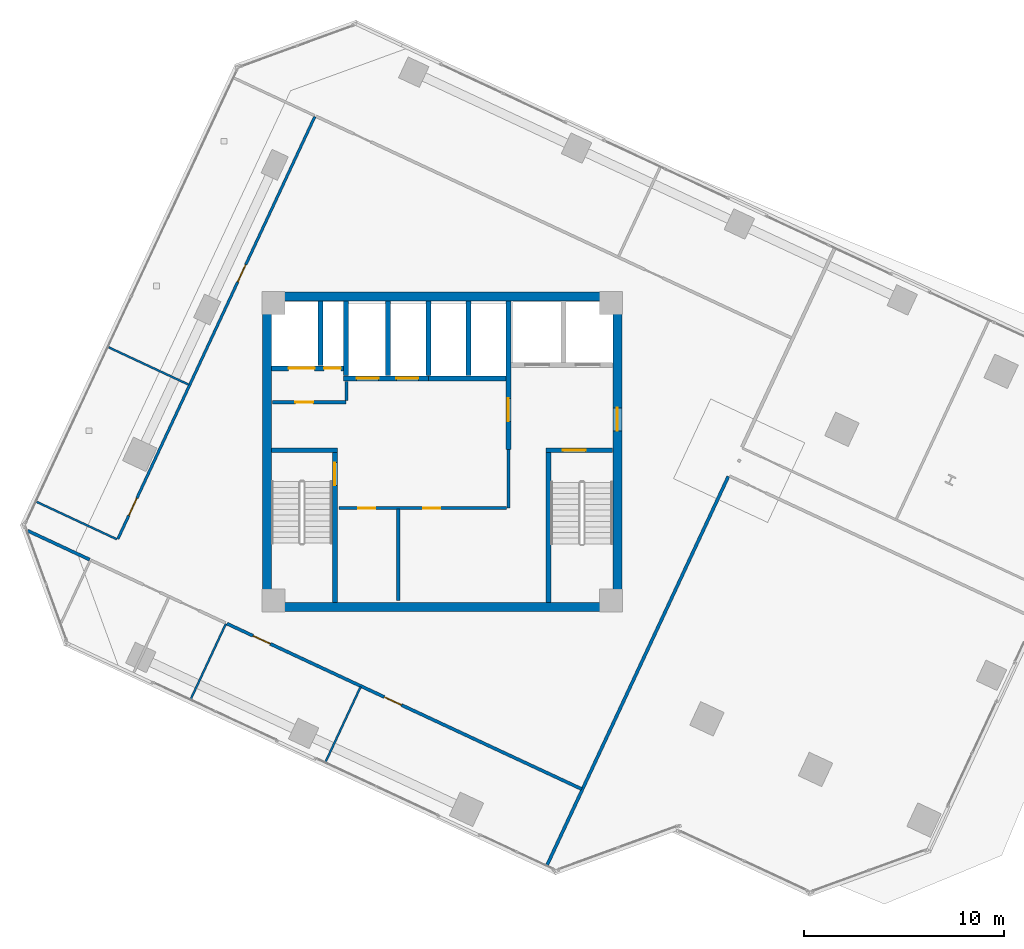
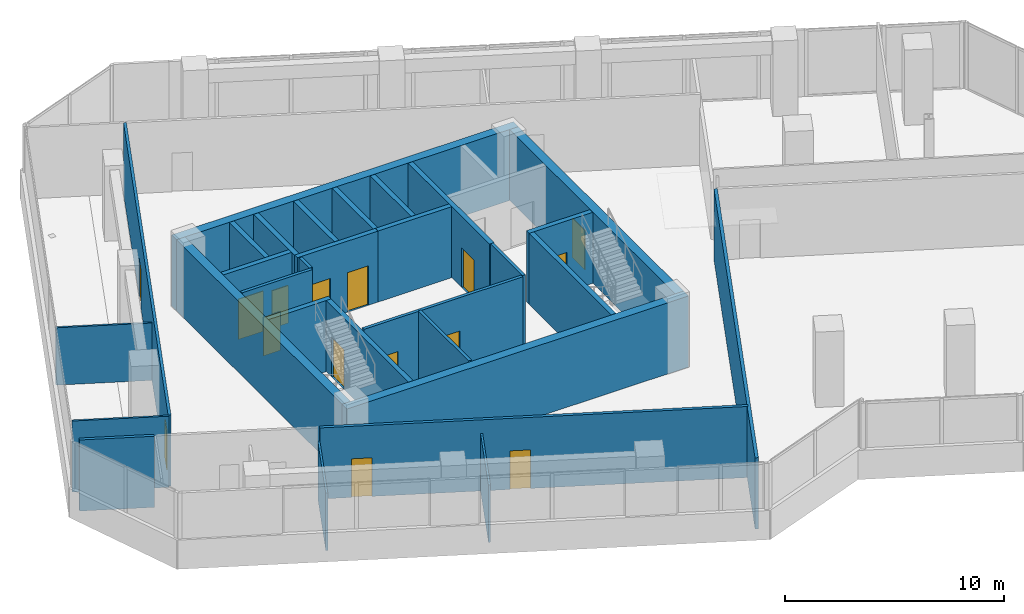
# One storey, part 17 of 23: 30 walls, 15 doors, 15 openings.
"""IFC4 building model written with IfcOpenShell, lengths in metres."""

from ifc_helpers import new_model, si_unit, direction, frame, frame_2d, origin, place, context, subcontext, project, spatial, rectangle, extrude, source, transform, mapped, material, layer, layer_set, type_object, element, fill, save


model = new_model("IFC4")

# Units and contexts
model_context = context("Model", 3, precision=1e-05, world=origin(), true_north=direction((0.0, 1.0)))
body_context = subcontext(model_context, "Body", "Model", "MODEL_VIEW")
ifc_project = project(units=[si_unit("LENGTHUNIT", "METRE"), si_unit("AREAUNIT", "SQUARE_METRE"), si_unit("VOLUMEUNIT", "CUBIC_METRE"), si_unit("PLANEANGLEUNIT", "RADIAN"), si_unit("MASSUNIT", "GRAM", prefix="KILO")], contexts=[model_context])

# Site, building, storey
site_placement = place(None, origin())
site = spatial("IfcSite", under=ifc_project, at=site_placement, CompositionType="ELEMENT")
building_placement = place(site_placement, origin())
building = spatial("IfcBuilding", under=site, at=building_placement, Name="Torre Montelarca", CompositionType="ELEMENT")
storey_placement = place(building_placement, frame((0.0, 0.0, 154.0)))
storey = spatial("IfcBuildingStorey", under=building, at=storey_placement, Name="L34", CompositionType="ELEMENT", Elevation=154.0)

# Wall, opening, door
ifc_material_1 = material(Name="Concrete C40/50", Category="concrete")
ifc_layer_1 = layer(ifc_material_1, 0.25, Name="Concrete C40/50", Category="concrete")
ifc_layer_set_1 = layer_set([ifc_layer_1], Name="Concrete C40/50")
wall_type_1 = type_object("IfcWallType", Name="CW-SHAFT-250", PredefinedType="SHEAR", material=ifc_layer_set_1)
wall_1_placement = place(storey_placement, frame((12.625, 24.4599609375, 0.0), z_axis=(0.0, 0.0, 1.0), x_axis=(0.0, 1.0, 0.0)))
wall_1 = element("IfcWall", 1, at=wall_1_placement, inside=storey, type_object=wall_type_1, Name="L34 Core Shear Wall SH-ST1-E", PredefinedType="SHEAR", context=body_context, shape_type="SweptSolid", body=[
    extrude(rectangle(XDim=7.489990234375, YDim=0.25, at=frame_2d((3.7451171875, 0.0))), origin(), (0.0, 0.0, 1.0), 3.9599609375),
])
opening_1_placement = place(wall_1_placement, frame((5.85009765625, 0.0, 0.0)))
opening_1 = element("IfcOpeningElement", 2, at=opening_1_placement, cuts=wall_1, Name="Opening FD-ST1", PredefinedType="OPENING", context=body_context, shape_type="SweptSolid", body=[
    extrude(rectangle(XDim=1.14990234375, YDim=2.199951171875, at=frame_2d((0.574951171875, 1.10009765625))), frame((0.0, 0.135009765625, 0.0), z_axis=(0.0, -1.0, 0.0), x_axis=(1.0, 0.0, 0.0)), (0.0, 0.0, 1.0), 0.27001953125),
])
ifc_material_2 = material(Name="Galvanized steel fire door", Category="steel")
door_type_1 = type_object("IfcDoorType", Name="DR-STAIR-115", OperationType="NOTDEFINED", PredefinedType="DOOR", material=ifc_material_2)
shared_shape_1 = source(origin(), body_context, "Body", "SweptSolid", [
    extrude(rectangle(XDim=1.14990234375, YDim=2.199951171875, at=frame_2d((0.574951171875, 1.10009765625))), frame((0.0, 0.02490234375, 0.0), z_axis=(0.0, -1.0, 0.0), x_axis=(1.0, 0.0, 0.0)), (0.0, 0.0, 1.0), 0.050048828125),
])
door_1_placement = place(opening_1_placement, origin())
door_1 = element("IfcDoor", 3, at=door_1_placement, inside=storey, type_object=door_type_1, Name="L34 Exit Stair ST1 Fire Door", OperationType="SINGLE_SWING_RIGHT", OverallHeight=2.199951171875, OverallWidth=1.14990234375, PredefinedType="DOOR", context=body_context, shape_type="MappedRepresentation", body=[
    mapped(shared_shape_1, transform((0.0, 0.0, 0.0), scale=1.0)),
])
fill(opening_1, door_1)

# Walls
wall_2_placement = place(storey_placement, frame((9.4599609375, 32.074951171875, 0.0), z_axis=(0.0, 0.0, 1.0), x_axis=(1.0, 0.0, 0.0)))
element("IfcWall", 4, at=wall_2_placement, inside=storey, type_object=wall_type_1, Name="L34 Core Shear Wall SH-ST1-N", PredefinedType="SHEAR", context=body_context, shape_type="SweptSolid", body=[
    extrude(rectangle(XDim=3.2900390625, YDim=0.25, at=frame_2d((1.64501953125, 0.0))), origin(), (0.0, 0.0, 1.0), 3.9599609375),
])
wall_3_placement = place(storey_placement, frame((23.31494140625, 24.4599609375, 0.0), z_axis=(0.0, 0.0, 1.0), x_axis=(0.0, 1.0, 0.0)))
element("IfcWall", 5, at=wall_3_placement, inside=storey, type_object=wall_type_1, Name="L34 Core Shear Wall SH-ST2-W", PredefinedType="SHEAR", context=body_context, shape_type="SweptSolid", body=[
    extrude(rectangle(XDim=7.489990234375, YDim=0.25, at=frame_2d((3.7451171875, 0.0))), origin(), (0.0, 0.0, 1.0), 3.9599609375),
])

# Wall, opening, door
wall_4_placement = place(storey_placement, frame((23.18994140625, 32.074951171875, 0.0), z_axis=(0.0, 0.0, 1.0), x_axis=(1.0, 0.0, 0.0)))
wall_4 = element("IfcWall", 6, at=wall_4_placement, inside=storey, type_object=wall_type_1, Name="L34 Core Shear Wall SH-ST2-N", PredefinedType="SHEAR", context=body_context, shape_type="SweptSolid", body=[
    extrude(rectangle(XDim=3.35009765625, YDim=0.25, at=frame_2d((1.675048828125, 0.0))), origin(), (0.0, 0.0, 1.0), 3.9599609375),
])
opening_2_placement = place(wall_4_placement, frame((0.85009765625, 0.0, 0.0)))
opening_2 = element("IfcOpeningElement", 7, at=opening_2_placement, cuts=wall_4, Name="Opening FD-ST1", PredefinedType="OPENING", context=body_context, shape_type="SweptSolid", body=[
    extrude(rectangle(XDim=1.14990234375, YDim=2.199951171875, at=frame_2d((0.574951171875, 1.10009765625))), frame((0.0, 0.135009765625, 0.0), z_axis=(0.0, -1.0, 0.0), x_axis=(1.0, 0.0, 0.0)), (0.0, 0.0, 1.0), 0.27001953125),
])
door_2_placement = place(opening_2_placement, origin())
door_2 = element("IfcDoor", 8, at=door_2_placement, inside=storey, type_object=door_type_1, Name="L34 Exit Stair ST2 Fire Door", OperationType="SINGLE_SWING_RIGHT", OverallHeight=2.199951171875, OverallWidth=1.14990234375, PredefinedType="DOOR", context=body_context, shape_type="MappedRepresentation", body=[
    mapped(shared_shape_1, transform((0.0, 0.0, 0.0), scale=1.0)),
])
fill(opening_2, door_2)

wall_5_placement = place(storey_placement, frame((21.320068359375, 32.1201171875, 0.0), z_axis=(0.0, 0.0, 1.0), x_axis=(0.0, 1.0, 0.0)))
wall_5 = element("IfcWall", 9, at=wall_5_placement, inside=storey, type_object=wall_type_1, Name="L34 Core Shear Wall SH-FFL-W", PredefinedType="SHEAR", context=body_context, shape_type="SweptSolid", body=[
    extrude(rectangle(XDim=7.419921875, YDim=0.25, at=frame_2d((3.7099609375, 0.0))), origin(), (0.0, 0.0, 1.0), 3.9599609375),
])
opening_3_placement = place(wall_5_placement, frame((1.39990234375, 0.0, 0.0)))
opening_3 = element("IfcOpeningElement", 10, at=opening_3_placement, cuts=wall_5, Name="Opening FD-LB1", PredefinedType="OPENING", context=body_context, shape_type="SweptSolid", body=[
    extrude(rectangle(XDim=1.14990234375, YDim=2.199951171875, at=frame_2d((0.574951171875, 1.10009765625))), frame((0.0, 0.135009765625, 0.0), z_axis=(0.0, -1.0, 0.0), x_axis=(1.0, 0.0, 0.0)), (0.0, 0.0, 1.0), 0.27001953125),
])
ifc_material_3 = material(Name="Acoustic timber-veneered fire door", Category="wood")
door_type_2 = type_object("IfcDoorType", Name="DR-LOBBY-115", OperationType="NOTDEFINED", PredefinedType="DOOR", material=ifc_material_3)
shared_shape_2 = source(origin(), body_context, "Body", "SweptSolid", [
    extrude(rectangle(XDim=1.14990234375, YDim=2.199951171875, at=frame_2d((0.574951171875, 1.10009765625))), frame((0.0, 0.02490234375, 0.0), z_axis=(0.0, -1.0, 0.0), x_axis=(1.0, 0.0, 0.0)), (0.0, 0.0, 1.0), 0.050048828125),
])
door_3_placement = place(opening_3_placement, origin())
door_3 = element("IfcDoor", 11, at=door_3_placement, inside=storey, type_object=door_type_2, Name="L34 Lift Lobby to Firefighting Lobby Smoke Door", OperationType="SINGLE_SWING_LEFT", OverallHeight=2.199951171875, OverallWidth=1.14990234375, PredefinedType="DOOR", context=body_context, shape_type="MappedRepresentation", body=[
    mapped(shared_shape_2, transform((0.0, 0.0, 0.0), scale=1.0)),
])
fill(opening_3, door_3)

# Wall, openings, doors
wall_6_placement = place(storey_placement, frame((9.4599609375, 36.179931640625, 0.0), z_axis=(0.0, 0.0, 1.0), x_axis=(1.0, 0.0, 0.0)))
wall_6 = element("IfcWall", 12, at=wall_6_placement, inside=storey, type_object=wall_type_1, Name="L34 Core Shear Wall SH-SV1-S", PredefinedType="SHEAR", context=body_context, shape_type="SweptSolid", body=[
    extrude(rectangle(XDim=3.7900390625, YDim=0.25, at=frame_2d((1.89501953125, 0.0))), origin(), (0.0, 0.0, 1.0), 3.9599609375),
])
opening_4_placement = place(wall_6_placement, frame((2.6201171875, 0.0, 0.0)))
opening_4 = element("IfcOpeningElement", 13, at=opening_4_placement, cuts=wall_6, Name="Opening FD-085", PredefinedType="OPENING", context=body_context, shape_type="SweptSolid", body=[
    extrude(rectangle(XDim=0.85009765625, YDim=2.10009765625, at=frame_2d((0.425048828125, 1.050048828125))), frame((0.0, 0.135009765625, 0.0), z_axis=(0.0, -1.0, 0.0), x_axis=(1.0, 0.0, 0.0)), (0.0, 0.0, 1.0), 0.27001953125),
])
opening_5_placement = place(wall_6_placement, frame((0.85009765625, 0.0, 0.0)))
opening_5 = element("IfcOpeningElement", 14, at=opening_5_placement, cuts=wall_6, Name="Opening LD-130", PredefinedType="OPENING", context=body_context, shape_type="SweptSolid", body=[
    extrude(rectangle(XDim=1.300048828125, YDim=2.25, at=frame_2d((0.64990234375, 1.125))), frame((0.0, 0.135009765625, 0.0), z_axis=(0.0, -1.0, 0.0), x_axis=(1.0, 0.0, 0.0)), (0.0, 0.0, 1.0), 0.27001953125),
])
ifc_material_4 = material(Name="Steel riser access fire door", Category="steel")
door_type_3 = type_object("IfcDoorType", Name="DR-RISER-085", OperationType="NOTDEFINED", PredefinedType="DOOR", material=ifc_material_4)
shared_shape_3 = source(origin(), body_context, "Body", "SweptSolid", [
    extrude(rectangle(XDim=0.85009765625, YDim=2.10009765625, at=frame_2d((0.425048828125, 1.050048828125))), frame((0.0, 0.02490234375, 0.0), z_axis=(0.0, -1.0, 0.0), x_axis=(1.0, 0.0, 0.0)), (0.0, 0.0, 1.0), 0.050048828125),
])
door_4_placement = place(opening_4_placement, origin())
door_4 = element("IfcDoor", 15, at=door_4_placement, inside=storey, type_object=door_type_3, Name="L34 Electrical Riser Shaft Access Door", OperationType="SINGLE_SWING_RIGHT", OverallHeight=2.10009765625, OverallWidth=0.85009765625, PredefinedType="DOOR", context=body_context, shape_type="MappedRepresentation", body=[
    mapped(shared_shape_3, transform((0.0, 0.0, 0.0), scale=1.0)),
])
fill(opening_4, door_4)
ifc_material_5 = material(Name="Brushed stainless steel AISI 316", Category="steel")
door_type_4 = type_object("IfcDoorType", Name="DR-LIFT-130", OperationType="SLIDING_TO_LEFT", PredefinedType="DOOR", material=ifc_material_5)
shared_shape_4 = source(origin(), body_context, "Body", "SweptSolid", [
    extrude(rectangle(XDim=1.300048828125, YDim=2.25, at=frame_2d((0.64990234375, 1.125))), frame((0.0, 0.02490234375, 0.0), z_axis=(0.0, -1.0, 0.0), x_axis=(1.0, 0.0, 0.0)), (0.0, 0.0, 1.0), 0.050048828125),
])
door_5_placement = place(opening_5_placement, origin())
door_5 = element("IfcDoor", 16, at=door_5_placement, inside=storey, type_object=door_type_4, Name="L34 Lift Landing Sliding Door SV-1", OperationType="SLIDING_TO_LEFT", OverallHeight=2.25, OverallWidth=1.300048828125, PredefinedType="DOOR", context=body_context, shape_type="MappedRepresentation", body=[
    mapped(shared_shape_4, transform((0.0, 0.0, 0.0), scale=1.0)),
])
fill(opening_5, door_5)

# Wall
wall_7_placement = place(storey_placement, frame((11.89990234375, 36.31005859375, 0.0), z_axis=(0.0, 0.0, 1.0), x_axis=(0.0, 1.0, 0.0)))
element("IfcWall", 17, at=wall_7_placement, inside=storey, type_object=wall_type_1, Name="L34 Core Shear Wall SH-SV1-E", PredefinedType="SHEAR", context=body_context, shape_type="SweptSolid", body=[
    extrude(rectangle(XDim=3.22998046875, YDim=0.25, at=frame_2d((1.614990234375, 0.0))), origin(), (0.0, 0.0, 1.0), 3.9599609375),
])

# Wall, openings, doors
wall_8_placement = place(storey_placement, frame((13.06005859375, 35.679931640625, 0.0), z_axis=(0.0, 0.0, 1.0), x_axis=(1.0, 0.0, 0.0)))
wall_8 = element("IfcWall", 18, at=wall_8_placement, inside=storey, type_object=wall_type_1, Name="L34 Core Shear Wall SH-PLM-S", PredefinedType="SHEAR", context=body_context, shape_type="SweptSolid", body=[
    extrude(rectangle(XDim=4.25, YDim=0.25, at=frame_2d((2.125, 0.0))), origin(), (0.0, 0.0, 1.0), 3.9599609375),
])
opening_6_placement = place(wall_8_placement, frame((0.64990234375, 0.0, 0.0)))
opening_6 = element("IfcOpeningElement", 19, at=opening_6_placement, cuts=wall_8, Name="Opening LD-110", PredefinedType="OPENING", context=body_context, shape_type="SweptSolid", body=[
    extrude(rectangle(XDim=1.10009765625, YDim=2.199951171875, at=frame_2d((0.550048828125, 1.10009765625))), frame((0.0, 0.135009765625, 0.0), z_axis=(0.0, -1.0, 0.0), x_axis=(1.0, 0.0, 0.0)), (0.0, 0.0, 1.0), 0.27001953125),
])
opening_7_placement = place(wall_8_placement, frame((2.64990234375, 0.0, 0.0)))
opening_7 = element("IfcOpeningElement", 20, at=opening_7_placement, cuts=wall_8, Name="Opening LD-110", PredefinedType="OPENING", context=body_context, shape_type="SweptSolid", body=[
    extrude(rectangle(XDim=1.10009765625, YDim=2.199951171875, at=frame_2d((0.550048828125, 1.10009765625))), frame((0.0, 0.135009765625, 0.0), z_axis=(0.0, -1.0, 0.0), x_axis=(1.0, 0.0, 0.0)), (0.0, 0.0, 1.0), 0.27001953125),
])
door_type_5 = type_object("IfcDoorType", Name="DR-LIFT-110", OperationType="SLIDING_TO_LEFT", PredefinedType="DOOR", material=ifc_material_5)
shared_shape_5 = source(origin(), body_context, "Body", "SweptSolid", [
    extrude(rectangle(XDim=1.10009765625, YDim=2.199951171875, at=frame_2d((0.550048828125, 1.10009765625))), frame((0.0, 0.02490234375, 0.0), z_axis=(0.0, -1.0, 0.0), x_axis=(1.0, 0.0, 0.0)), (0.0, 0.0, 1.0), 0.050048828125),
])
door_6_placement = place(opening_6_placement, origin())
door_6 = element("IfcDoor", 21, at=door_6_placement, inside=storey, type_object=door_type_5, Name="L34 Lift Landing Sliding Door PL-M1", OperationType="SLIDING_TO_LEFT", OverallHeight=2.199951171875, OverallWidth=1.10009765625, PredefinedType="DOOR", context=body_context, shape_type="MappedRepresentation", body=[
    mapped(shared_shape_5, transform((0.0, 0.0, 0.0), scale=1.0)),
])
fill(opening_6, door_6)
door_7_placement = place(opening_7_placement, origin())
door_7 = element("IfcDoor", 22, at=door_7_placement, inside=storey, type_object=door_type_5, Name="L34 Lift Landing Sliding Door PL-M2", OperationType="SLIDING_TO_RIGHT", OverallHeight=2.199951171875, OverallWidth=1.10009765625, PredefinedType="DOOR", context=body_context, shape_type="MappedRepresentation", body=[
    mapped(shared_shape_5, transform((0.0, 0.0, 0.0), scale=1.0)),
])
fill(opening_7, door_7)

# Walls
for number, where, z_axis, x_axis, name in (
    (23, (13.179931640625, 35.81005859375, 0.0), (0.0, 0.0, 1.0), (0.0, 1.0, 0.0), "L34 Core Shear Wall SH-PLM-W"),
    (24, (15.280029296875, 35.81005859375, 0.0), (0.0, 0.0, 1.0), (0.0, 1.0, 0.0), "L34 Core Shear Wall SH-PLM-M"),
):
    element("IfcWall", number, at=place(storey_placement, frame(where, z_axis=z_axis, x_axis=x_axis)), inside=storey, type_object=wall_type_1, Name=name, PredefinedType="SHEAR", context=body_context, shape_type="SweptSolid", body=[
        extrude(rectangle(XDim=3.72998046875, YDim=0.25, at=frame_2d((1.864990234375, 0.0))), origin(), (0.0, 0.0, 1.0), 3.9599609375),
    ])
wall_9_placement = place(storey_placement, frame((17.320068359375, 35.679931640625, 0.0), z_axis=(0.0, 0.0, 1.0), x_axis=(1.0, 0.0, 0.0)))
element("IfcWall", 25, at=wall_9_placement, inside=storey, type_object=wall_type_1, Name="L34 Core Shear Wall SH-PLH-S", PredefinedType="SHEAR", context=body_context, shape_type="SweptSolid", body=[
    extrude(rectangle(XDim=3.869873046875, YDim=0.25, at=frame_2d((1.93505859375, 0.0))), origin(), (0.0, 0.0, 1.0), 3.9599609375),
])
for number, where, z_axis, x_axis, name in (
    (26, (17.320068359375, 35.81005859375, 0.0), (0.0, 0.0, 1.0), (0.0, 1.0, 0.0), "L34 Core Shear Wall SH-PLH-W"),
    (27, (19.320068359375, 35.81005859375, 0.0), (0.0, 0.0, 1.0), (0.0, 1.0, 0.0), "L34 Core Shear Wall SH-PLH-M"),
):
    element("IfcWall", number, at=place(storey_placement, frame(where, z_axis=z_axis, x_axis=x_axis)), inside=storey, type_object=wall_type_1, Name=name, PredefinedType="SHEAR", context=body_context, shape_type="SweptSolid", body=[
        extrude(rectangle(XDim=3.72998046875, YDim=0.25, at=frame_2d((1.864990234375, 0.0))), origin(), (0.0, 0.0, 1.0), 3.9599609375),
    ])
ifc_material_6 = material(Name="Concrete C55/67", Category="concrete")
ifc_layer_2 = layer(ifc_material_6, 0.449951171875, Name="Concrete C55/67", Category="concrete")
ifc_layer_set_2 = layer_set([ifc_layer_2], Name="Concrete C55/67")
wall_type_2 = type_object("IfcWallType", Name="CW-SHEAR-450", PredefinedType="SHEAR", material=ifc_layer_set_2)
wall_10_placement = place(storey_placement, frame((9.22509765625, 24.449951171875, 0.0), z_axis=(0.0, 0.0, 1.0), x_axis=(0.0, 1.0, 0.0)))
element("IfcWall", 28, at=wall_10_placement, inside=storey, type_object=wall_type_2, Name="L34 Core Shear Wall CW-W", PredefinedType="SHEAR", context=body_context, shape_type="SweptSolid", body=[
    extrude(rectangle(XDim=15.10009765625, YDim=0.449951171875, at=frame_2d((7.550048828125, 0.0))), origin(), (0.0, 0.0, 1.0), 3.9599609375),
])

# Wall, opening, door
wall_11_placement = place(storey_placement, frame((26.77490234375, 24.449951171875, 0.0), z_axis=(0.0, 0.0, 1.0), x_axis=(0.0, 1.0, 0.0)))
wall_11 = element("IfcWall", 29, at=wall_11_placement, inside=storey, type_object=wall_type_2, Name="L34 Core Shear Wall CW-E", PredefinedType="SHEAR", context=body_context, shape_type="SweptSolid", body=[
    extrude(rectangle(XDim=15.10009765625, YDim=0.449951171875, at=frame_2d((7.550048828125, 0.0))), origin(), (0.0, 0.0, 1.0), 3.9599609375),
])
opening_8_placement = place(wall_11_placement, frame((8.60009765625, 0.0, 0.0)))
opening_8 = element("IfcOpeningElement", 30, at=opening_8_placement, cuts=wall_11, Name="Opening FD-LB1", PredefinedType="OPENING", context=body_context, shape_type="SweptSolid", body=[
    extrude(rectangle(XDim=1.14990234375, YDim=2.199951171875, at=frame_2d((0.574951171875, 1.10009765625))), frame((0.0, 0.23486328125, 0.0), z_axis=(0.0, -1.0, 0.0), x_axis=(1.0, 0.0, 0.0)), (0.0, 0.0, 1.0), 0.469970703125),
])
door_8_placement = place(opening_8_placement, origin())
door_8 = element("IfcDoor", 31, at=door_8_placement, inside=storey, type_object=door_type_2, Name="L34 Firefighting Lift Lobby Corridor Fire Door", OperationType="SINGLE_SWING_RIGHT", OverallHeight=2.199951171875, OverallWidth=1.14990234375, PredefinedType="DOOR", context=body_context, shape_type="MappedRepresentation", body=[
    mapped(shared_shape_2, transform((0.0, 0.0, 0.0), scale=1.0)),
])
fill(opening_8, door_8)

# Walls
for number, where, z_axis, x_axis, name in (
    (32, (9.0, 24.22509765625, 0.0), (0.0, 0.0, 1.0), (1.0, 0.0, 0.0), "L34 Core Shear Wall CW-S1"),
    (33, (9.0, 39.77490234375, 0.0), (0.0, 0.0, 1.0), (1.0, 0.0, 0.0), "L34 Core Shear Wall CW-N1"),
):
    element("IfcWall", number, at=place(storey_placement, frame(where, z_axis=z_axis, x_axis=x_axis)), inside=storey, type_object=wall_type_2, Name=name, PredefinedType="SHEAR", context=body_context, shape_type="SweptSolid", body=[
        extrude(rectangle(XDim=18.0, YDim=0.449951171875, at=frame_2d((9.0, 0.0))), origin(), (0.0, 0.0, 1.0), 3.9599609375),
    ])

# Wall, opening, door
ifc_material_7 = material(Name="Gypsum plasterboard on steel stud", Category="steel")
ifc_layer_3 = layer(ifc_material_7, 0.159912109375, Name="Gypsum plasterboard on steel stud", Category="steel")
ifc_layer_set_3 = layer_set([ifc_layer_3], Name="Gypsum plasterboard on steel stud")
wall_type_3 = type_object("IfcWallType", Name="PW-FIRE-160", PredefinedType="PARTITIONING", material=ifc_layer_set_3)
wall_12_placement = place(storey_placement, frame((9.489990234375, 34.47998046875, 0.0), z_axis=(0.0, 0.0, 1.0), x_axis=(1.0, 0.0, 0.0)))
wall_12 = element("IfcWall", 34, at=wall_12_placement, inside=storey, type_object=wall_type_3, Name="L34 Interior Partition CW-L34-SVS", PredefinedType="PARTITIONING", context=body_context, shape_type="SweptSolid", body=[
    extrude(rectangle(XDim=3.699951171875, YDim=0.159912109375, at=frame_2d((1.85009765625, 0.0))), origin(), (0.0, 0.0, 1.0), 3.9599609375),
])
opening_9_placement = place(wall_12_placement, frame((1.14990234375, 0.0, 0.0)))
opening_9 = element("IfcOpeningElement", 35, at=opening_9_placement, cuts=wall_12, Name="Opening FD-090", PredefinedType="OPENING", context=body_context, shape_type="SweptSolid", body=[
    extrude(rectangle(XDim=0.89990234375, YDim=2.14990234375, at=frame_2d((0.449951171875, 1.074951171875))), frame((0.0, 0.08984375, 0.0), z_axis=(0.0, -1.0, 0.0), x_axis=(1.0, 0.0, 0.0)), (0.0, 0.0, 1.0), 0.179931640625),
])
ifc_material_8 = material(Name="Steel service fire door", Category="steel")
door_type_6 = type_object("IfcDoorType", Name="DR-FIRE-090", OperationType="NOTDEFINED", PredefinedType="DOOR", material=ifc_material_8)
shared_shape_6 = source(origin(), body_context, "Body", "SweptSolid", [
    extrude(rectangle(XDim=0.89990234375, YDim=2.14990234375, at=frame_2d((0.449951171875, 1.074951171875))), frame((0.0, 0.02490234375, 0.0), z_axis=(0.0, -1.0, 0.0), x_axis=(1.0, 0.0, 0.0)), (0.0, 0.0, 1.0), 0.050048828125),
])
door_9_placement = place(opening_9_placement, origin())
door_9 = element("IfcDoor", 36, at=door_9_placement, inside=storey, type_object=door_type_6, Name="L34 Interior Door 01", OperationType="SINGLE_SWING_RIGHT", OverallHeight=2.14990234375, OverallWidth=0.89990234375, PredefinedType="DOOR", context=body_context, shape_type="MappedRepresentation", body=[
    mapped(shared_shape_6, transform((0.0, 0.0, 0.0), scale=1.0)),
])
fill(opening_9, door_9)

# Wall
wall_13_placement = place(storey_placement, frame((13.199951171875, 34.570068359375, 0.0), z_axis=(0.0, 0.0, 1.0), x_axis=(0.0, 1.0, 0.0)))
element("IfcWall", 37, at=wall_13_placement, inside=storey, type_object=wall_type_3, Name="L34 Interior Partition CW-L34-SVE", PredefinedType="PARTITIONING", context=body_context, shape_type="SweptSolid", body=[
    extrude(rectangle(XDim=0.93994140625, YDim=0.159912109375, at=frame_2d((0.469970703125, 0.0))), origin(), (0.0, 0.0, 1.0), 3.9599609375),
])

# Wall, openings, doors
wall_14_placement = place(storey_placement, frame((12.840087890625, 29.179931640625, 0.0), z_axis=(0.0, 0.0, 1.0), x_axis=(1.0, 0.0, 0.0)))
wall_14 = element("IfcWall", 38, at=wall_14_placement, inside=storey, type_object=wall_type_3, Name="L34 Interior Partition CW-L34-FRDN", PredefinedType="PARTITIONING", context=body_context, shape_type="SweptSolid", body=[
    extrude(rectangle(XDim=8.369873046875, YDim=0.159912109375, at=frame_2d((4.18505859375, 0.0))), origin(), (0.0, 0.0, 1.0), 3.9599609375),
])
opening_10_placement = place(wall_14_placement, frame((0.949951171875, 0.0, 0.0)))
opening_10 = element("IfcOpeningElement", 39, at=opening_10_placement, cuts=wall_14, Name="Opening FD-085", PredefinedType="OPENING", context=body_context, shape_type="SweptSolid", body=[
    extrude(rectangle(XDim=0.85009765625, YDim=2.10009765625, at=frame_2d((0.425048828125, 1.050048828125))), frame((0.0, 0.08984375, 0.0), z_axis=(0.0, -1.0, 0.0), x_axis=(1.0, 0.0, 0.0)), (0.0, 0.0, 1.0), 0.179931640625),
])
opening_11_placement = place(wall_14_placement, frame((4.199951171875, 0.0, 0.0)))
opening_11 = element("IfcOpeningElement", 40, at=opening_11_placement, cuts=wall_14, Name="Opening FD-085", PredefinedType="OPENING", context=body_context, shape_type="SweptSolid", body=[
    extrude(rectangle(XDim=0.85009765625, YDim=2.10009765625, at=frame_2d((0.425048828125, 1.050048828125))), frame((0.0, 0.08984375, 0.0), z_axis=(0.0, -1.0, 0.0), x_axis=(1.0, 0.0, 0.0)), (0.0, 0.0, 1.0), 0.179931640625),
])
door_10_placement = place(opening_10_placement, origin())
door_10 = element("IfcDoor", 41, at=door_10_placement, inside=storey, type_object=door_type_3, Name="L34 Interior Door 02", OperationType="SINGLE_SWING_LEFT", OverallHeight=2.10009765625, OverallWidth=0.85009765625, PredefinedType="DOOR", context=body_context, shape_type="MappedRepresentation", body=[
    mapped(shared_shape_3, transform((0.0, 0.0, 0.0), scale=1.0)),
])
fill(opening_10, door_10)
door_11_placement = place(opening_11_placement, origin())
door_11 = element("IfcDoor", 42, at=door_11_placement, inside=storey, type_object=door_type_3, Name="L34 Interior Door 03", OperationType="SINGLE_SWING_RIGHT", OverallHeight=2.10009765625, OverallWidth=0.85009765625, PredefinedType="DOOR", context=body_context, shape_type="MappedRepresentation", body=[
    mapped(shared_shape_3, transform((0.0, 0.0, 0.0), scale=1.0)),
])
fill(opening_11, door_11)

# Walls
wall_15_placement = place(storey_placement, frame((15.800048828125, 24.5400390625, 0.0), z_axis=(0.0, 0.0, 1.0), x_axis=(0.0, 1.0, 0.0)))
element("IfcWall", 43, at=wall_15_placement, inside=storey, type_object=wall_type_3, Name="L34 Interior Partition CW-L34-FRD1", PredefinedType="PARTITIONING", context=body_context, shape_type="SweptSolid", body=[
    extrude(rectangle(XDim=4.599853515625, YDim=0.159912109375, at=frame_2d((2.2998046875, 0.0))), origin(), (0.0, 0.0, 1.0), 3.9599609375),
])
wall_16_placement = place(storey_placement, frame((21.320068359375, 29.18994140625, 0.0), z_axis=(0.0, 0.0, 1.0), x_axis=(0.0, 1.0, 0.0)))
element("IfcWall", 44, at=wall_16_placement, inside=storey, type_object=wall_type_3, Name="L34 Interior Partition CW-L34-FRE", PredefinedType="PARTITIONING", context=body_context, shape_type="SweptSolid", body=[
    extrude(rectangle(XDim=2.920166015625, YDim=0.159912109375, at=frame_2d((1.4599609375, 0.0))), origin(), (0.0, 0.0, 1.0), 3.9599609375),
])
wall_17_placement = place(storey_placement, frame((-2.76708984375, 28.045166015625, 0.0), z_axis=(0.0, 0.0, 1.0), x_axis=(0.906313941013, -0.422605064246, 0.0)))
element("IfcWall", 45, at=wall_17_placement, inside=storey, type_object=wall_type_3, Name="L34 Interior Partition W-L34-SOCCW", PredefinedType="PARTITIONING", context=body_context, shape_type="SweptSolid", body=[
    extrude(rectangle(XDim=3.43212890625, YDim=0.159912109375, at=frame_2d((1.716064453125, 0.0))), origin(), (0.0, 0.0, 1.0), 3.9599609375),
])

# Wall, openings, doors
wall_18_placement = place(storey_placement, frame((7.21337890625, 23.391357421875, 0.0), z_axis=(0.0, 0.0, 1.0), x_axis=(0.906304602938, -0.422625089996, 0.0)))
wall_18 = element("IfcWall", 46, at=wall_18_placement, inside=storey, type_object=wall_type_3, Name="L34 Interior Partition W-L34-SOCCN", PredefinedType="PARTITIONING", context=body_context, shape_type="SweptSolid", body=[
    extrude(rectangle(XDim=19.60986328125, YDim=0.159912109375, at=frame_2d((9.804931640625, 0.0))), origin(), (0.0, 0.0, 1.0), 3.9599609375),
])
opening_12_placement = place(wall_18_placement, frame((1.449951171875, 0.0, 0.0)))
opening_12 = element("IfcOpeningElement", 47, at=opening_12_placement, cuts=wall_18, Name="Opening FD-095", PredefinedType="OPENING", context=body_context, shape_type="SweptSolid", body=[
    extrude(rectangle(XDim=0.949951171875, YDim=2.14990234375, at=frame_2d((0.47509765625, 1.074951171875))), frame((0.0, 0.08984375, 0.0), z_axis=(0.0, -1.0, 0.0), x_axis=(1.0, 0.0, 0.0)), (0.0, 0.0, 1.0), 0.179931640625),
])
opening_13_placement = place(wall_18_placement, frame((8.699951171875, 0.0, 0.0)))
opening_13 = element("IfcOpeningElement", 48, at=opening_13_placement, cuts=wall_18, Name="Opening FD-095", PredefinedType="OPENING", context=body_context, shape_type="SweptSolid", body=[
    extrude(rectangle(XDim=0.949951171875, YDim=2.14990234375, at=frame_2d((0.47509765625, 1.074951171875))), frame((0.0, 0.08984375, 0.0), z_axis=(0.0, -1.0, 0.0), x_axis=(1.0, 0.0, 0.0)), (0.0, 0.0, 1.0), 0.179931640625),
])
ifc_material_9 = material(Name="Timber fire-rated room door", Category="wood")
door_type_7 = type_object("IfcDoorType", Name="DR-FIRE-095", OperationType="NOTDEFINED", PredefinedType="DOOR", material=ifc_material_9)
shared_shape_7 = source(origin(), body_context, "Body", "SweptSolid", [
    extrude(rectangle(XDim=0.949951171875, YDim=2.14990234375, at=frame_2d((0.47509765625, 1.074951171875))), frame((0.0, 0.02490234375, 0.0), z_axis=(0.0, -1.0, 0.0), x_axis=(1.0, 0.0, 0.0)), (0.0, 0.0, 1.0), 0.050048828125),
])
door_12_placement = place(opening_12_placement, origin())
door_12 = element("IfcDoor", 49, at=door_12_placement, inside=storey, type_object=door_type_7, Name="L34 Interior Door 06", OperationType="SINGLE_SWING_RIGHT", OverallHeight=2.14990234375, OverallWidth=0.949951171875, PredefinedType="DOOR", context=body_context, shape_type="MappedRepresentation", body=[
    mapped(shared_shape_7, transform((0.0, 0.0, 0.0), scale=1.0)),
])
fill(opening_12, door_12)
door_13_placement = place(opening_13_placement, origin())
door_13 = element("IfcDoor", 50, at=door_13_placement, inside=storey, type_object=door_type_7, Name="L34 Interior Door 07", OperationType="SINGLE_SWING_LEFT", OverallHeight=2.14990234375, OverallWidth=0.949951171875, PredefinedType="DOOR", context=body_context, shape_type="MappedRepresentation", body=[
    mapped(shared_shape_7, transform((0.0, 0.0, 0.0), scale=1.0)),
])
fill(opening_13, door_13)

# Walls
wall_19_placement = place(storey_placement, frame((23.255615234375, 11.298583984375, 0.0), z_axis=(0.0, 0.0, 1.0), x_axis=(0.422623489462, 0.906305349292, 0.0)))
element("IfcWall", 51, at=wall_19_placement, inside=storey, type_object=wall_type_3, Name="L34 Interior Partition W-L34-ECS", PredefinedType="PARTITIONING", context=body_context, shape_type="SweptSolid", body=[
    extrude(rectangle(XDim=21.479736328125, YDim=0.159912109375, at=frame_2d((10.73974609375, 0.0))), origin(), (0.0, 0.0, 1.0), 3.9599609375),
])
ifc_material_10 = material(Name="Acoustic laminated glass partition", Category="glass")
ifc_layer_4 = layer(ifc_material_10, 0.10009765625, Name="Acoustic laminated glass partition", Category="glass")
ifc_layer_set_4 = layer_set([ifc_layer_4], Name="Acoustic laminated glass partition")
wall_type_4 = type_object("IfcWallType", Name="PW-GLAZ-100", PredefinedType="PARTITIONING", material=ifc_layer_set_4)
for number, where, z_axis, x_axis, name in (
    (52, (5.410400390625, 19.619873046875, 0.0), (0.0, 0.0, 1.0), (0.422656233697, 0.906290079454, 0.0), "L34 Interior Partition W-L34-SWCDIV"),
    (53, (12.162353515625, 16.471435546875, 0.0), (0.0, 0.0, 1.0), (0.422656233697, 0.906290079454, 0.0), "L34 Interior Partition W-L34-SWDIV"),
):
    element("IfcWall", number, at=place(storey_placement, frame(where, z_axis=z_axis, x_axis=x_axis)), inside=storey, type_object=wall_type_4, Name=name, PredefinedType="PARTITIONING", context=body_context, shape_type="SweptSolid", body=[
        extrude(rectangle(XDim=4.139892578125, YDim=0.10009765625, at=frame_2d((2.06982421875, 0.0))), origin(), (0.0, 0.0, 1.0), 3.195068359375),
    ])
wall_20_placement = place(storey_placement, frame((-2.3125, 29.48828125, 0.0), z_axis=(0.0, 0.0, 1.0), x_axis=(0.906316851894, -0.422598821546, 0.0)))
element("IfcWall", 54, at=wall_20_placement, inside=storey, type_object=wall_type_4, Name="L34 Interior Partition W-L34-WWGS", PredefinedType="PARTITIONING", context=body_context, shape_type="SweptSolid", body=[
    extrude(rectangle(XDim=4.429931640625, YDim=0.10009765625, at=frame_2d((2.21484375, 0.0))), origin(), (0.0, 0.0, 1.0), 3.9599609375),
])
wall_21_placement = place(storey_placement, frame((1.296630859375, 37.228271484375, 0.0), z_axis=(0.0, 0.0, 1.0), x_axis=(0.906295742894, -0.422644089526, 0.0)))
element("IfcWall", 55, at=wall_21_placement, inside=storey, type_object=wall_type_4, Name="L34 Interior Partition W-L34-WWGD-1", PredefinedType="PARTITIONING", context=body_context, shape_type="SweptSolid", body=[
    extrude(rectangle(XDim=4.429931640625, YDim=0.10009765625, at=frame_2d((2.21484375, 0.0))), origin(), (0.0, 0.0, 1.0), 3.195068359375),
])

# Wall, openings, doors
ifc_layer_5 = layer(ifc_material_7, 0.135009765625, Name="Gypsum plasterboard on steel stud", Category="steel")
ifc_layer_set_5 = layer_set([ifc_layer_5], Name="Gypsum plasterboard on steel stud")
wall_type_5 = type_object("IfcWallType", Name="PW-PART-135", PredefinedType="PARTITIONING", material=ifc_layer_set_5)
wall_22_placement = place(storey_placement, frame((1.755615234375, 27.635498046875, 0.0), z_axis=(0.0, 0.0, 1.0), x_axis=(0.422615732035, 0.906308966653, 0.0)))
wall_22 = element("IfcWall", 56, at=wall_22_placement, inside=storey, type_object=wall_type_5, Name="L34 Interior Partition W-L34-WWGE", PredefinedType="PARTITIONING", context=body_context, shape_type="SweptSolid", body=[
    extrude(rectangle(XDim=23.33984375, YDim=0.135009765625, at=frame_2d((11.669921875, 0.0))), origin(), (0.0, 0.0, 1.0), 3.9599609375),
])
opening_14_placement = place(wall_22_placement, frame((1.300048828125, 0.0, 0.0)))
opening_14 = element("IfcOpeningElement", 57, at=opening_14_placement, cuts=wall_22, Name="Opening ID-095", PredefinedType="OPENING", context=body_context, shape_type="SweptSolid", body=[
    extrude(rectangle(XDim=0.949951171875, YDim=2.14990234375, at=frame_2d((0.47509765625, 1.074951171875))), frame((0.0, 0.07763671875, 0.0), z_axis=(0.0, -1.0, 0.0), x_axis=(1.0, 0.0, 0.0)), (0.0, 0.0, 1.0), 0.155029296875),
])
opening_15_placement = place(wall_22_placement, frame((14.199951171875, 0.0, 0.0)))
opening_15 = element("IfcOpeningElement", 58, at=opening_15_placement, cuts=wall_22, Name="Opening ID-095", PredefinedType="OPENING", context=body_context, shape_type="SweptSolid", body=[
    extrude(rectangle(XDim=0.949951171875, YDim=2.14990234375, at=frame_2d((0.47509765625, 1.074951171875))), frame((0.0, 0.07763671875, 0.0), z_axis=(0.0, -1.0, 0.0), x_axis=(1.0, 0.0, 0.0)), (0.0, 0.0, 1.0), 0.155029296875),
])
ifc_material_11 = material(Name="Hardwood acoustic timber veneer", Category="wood")
door_type_8 = type_object("IfcDoorType", Name="DR-INT-095", OperationType="NOTDEFINED", PredefinedType="DOOR", material=ifc_material_11)
shared_shape_8 = source(origin(), body_context, "Body", "SweptSolid", [
    extrude(rectangle(XDim=0.949951171875, YDim=2.14990234375, at=frame_2d((0.47509765625, 1.074951171875))), frame((0.0, 0.02490234375, 0.0), z_axis=(0.0, -1.0, 0.0), x_axis=(1.0, 0.0, 0.0)), (0.0, 0.0, 1.0), 0.050048828125),
])
door_14_placement = place(opening_14_placement, origin())
door_14 = element("IfcDoor", 59, at=door_14_placement, inside=storey, type_object=door_type_8, Name="L34 Interior Door 10", OperationType="SINGLE_SWING_LEFT", OverallHeight=2.14990234375, OverallWidth=0.949951171875, PredefinedType="DOOR", context=body_context, shape_type="MappedRepresentation", body=[
    mapped(shared_shape_8, transform((0.0, 0.0, 0.0), scale=1.0)),
])
fill(opening_14, door_14)
door_15_placement = place(opening_15_placement, origin())
door_15 = element("IfcDoor", 60, at=door_15_placement, inside=storey, type_object=door_type_8, Name="L34 Interior Door 11", OperationType="SINGLE_SWING_RIGHT", OverallHeight=2.14990234375, OverallWidth=0.949951171875, PredefinedType="DOOR", context=body_context, shape_type="MappedRepresentation", body=[
    mapped(shared_shape_8, transform((0.0, 0.0, 0.0), scale=1.0)),
])
fill(opening_15, door_15)

save(model, "model.ifc")
